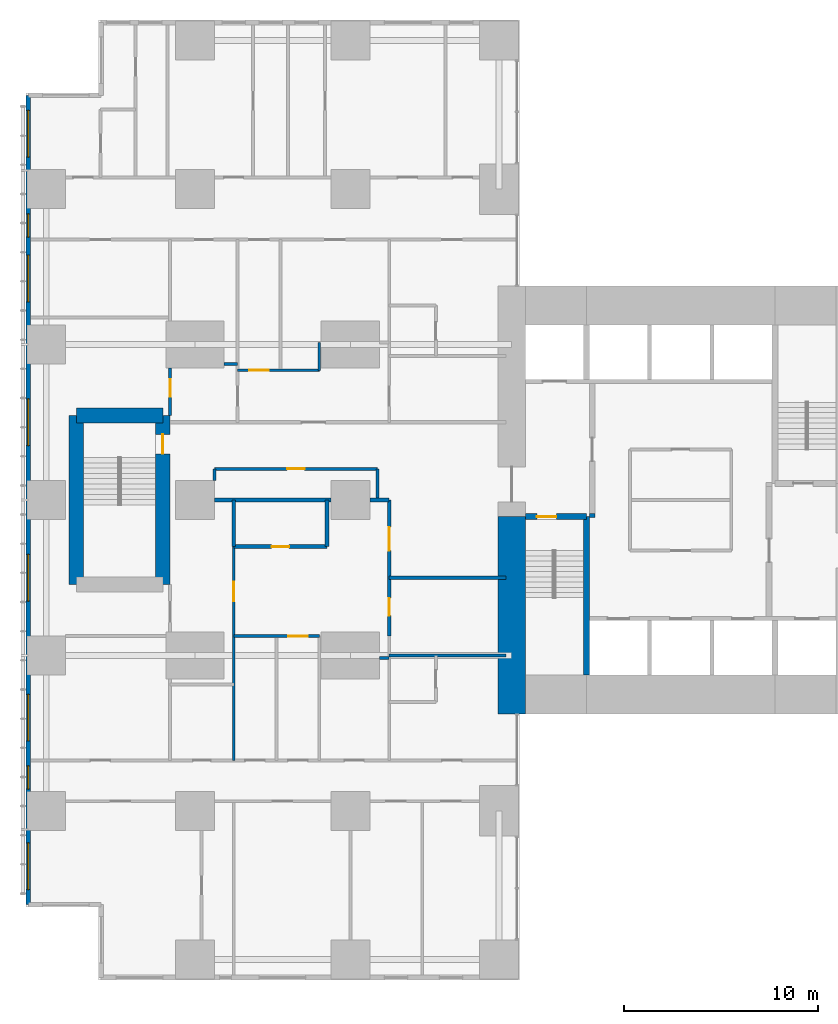
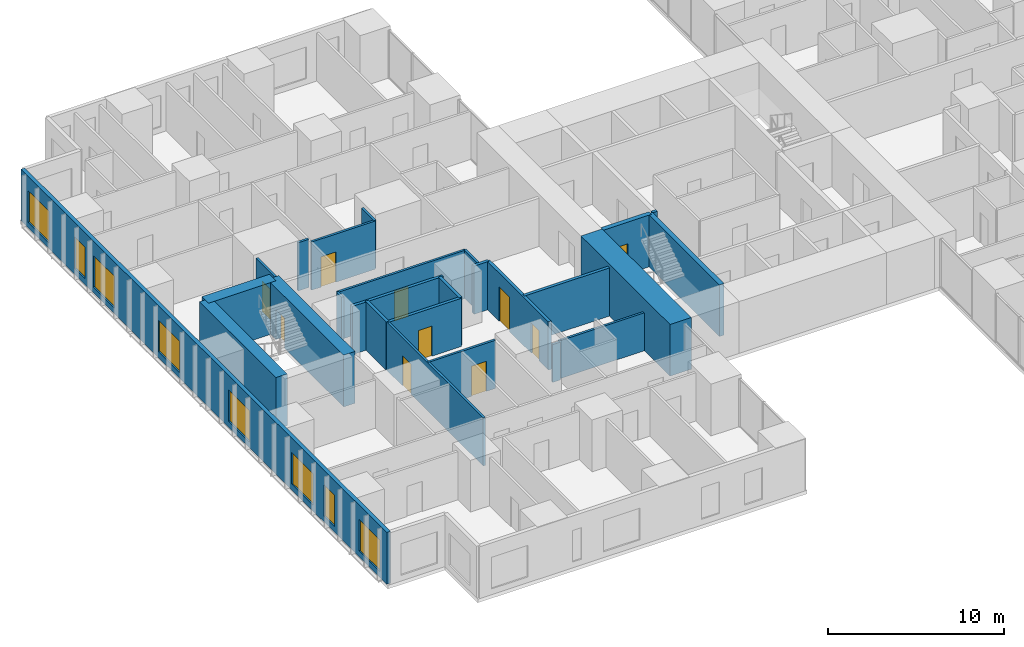
# One storey, part 13 of 20: 26 walls, 10 doors, 8 windows, 18 openings.
"""IFC4 building model written with IfcOpenShell, lengths in metres."""

from ifc_helpers import new_model, si_unit, direction, frame, frame_2d, origin, place, context, subcontext, project, spatial, rectangle, extrude, material, layer, layer_set, type_object, element, fill, save


model = new_model("IFC4")

# Units and contexts
model_context = context("Model", 3, precision=1e-05, world=origin(), true_north=direction((0.0, 1.0)))
body_context = subcontext(model_context, "Body", "Model", "MODEL_VIEW")
ifc_project = project(units=[si_unit("LENGTHUNIT", "METRE"), si_unit("AREAUNIT", "SQUARE_METRE"), si_unit("VOLUMEUNIT", "CUBIC_METRE"), si_unit("PLANEANGLEUNIT", "RADIAN"), si_unit("MASSUNIT", "GRAM", prefix="KILO")], contexts=[model_context])

# Site, building, storey
site_placement = place(None, origin())
site = spatial("IfcSite", under=ifc_project, at=site_placement, CompositionType="ELEMENT")
building_placement = place(site_placement, origin())
building = spatial("IfcBuilding", under=site, at=building_placement, Name="Cleftline Residences", CompositionType="ELEMENT")
storey_placement = place(building_placement, frame((0.0, 0.0, 117.800048828125)))
storey = spatial("IfcBuildingStorey", under=building, at=storey_placement, Name="L30", CompositionType="ELEMENT", Elevation=117.800048828125)

# Walls
ifc_material_1 = material(Name="Concrete B70", Category="concrete")
ifc_layer_1 = layer(ifc_material_1, 1.39990234375)
ifc_layer_set_1 = layer_set([ifc_layer_1], Name="CORE WALL 1400")
wall_type_1 = type_object("IfcWallType", Name="CORE WALL 1400", PredefinedType="SHEAR", material=ifc_layer_set_1)
wall_1_placement = place(storey_placement, frame((24.300048828125, 13.0, 0.0), z_axis=(0.0, 0.0, 1.0), x_axis=(0.0, 1.0, 0.0)))
element("IfcWall", 1, at=wall_1_placement, inside=storey, type_object=wall_type_1, Name="Core wall W0", PredefinedType="SHEAR", context=body_context, shape_type="SweptSolid", body=[
    extrude(rectangle(XDim=10.14990234375, YDim=1.39990234375, at=frame_2d((5.074951171875, 0.0))), origin(), (0.0, 0.0, 1.0), 3.599853515625),
])
ifc_material_2 = material(Name="Concrete B70", Category="concrete")
ifc_layer_2 = layer(ifc_material_2, 0.300048828125)
ifc_layer_set_2 = layer_set([ifc_layer_2], Name="CORE WALL 300")
wall_type_2 = type_object("IfcWallType", Name="CORE WALL 300", PredefinedType="SHEAR", material=ifc_layer_set_2)
wall_2_placement = place(storey_placement, frame((28.14990234375, 15.0, 0.0), z_axis=(0.0, 0.0, 1.0), x_axis=(0.0, 1.0, 0.0)))
element("IfcWall", 2, at=wall_2_placement, inside=storey, type_object=wall_type_2, Name="Core wall SA-E", PredefinedType="SHEAR", context=body_context, shape_type="SweptSolid", body=[
    extrude(rectangle(XDim=8.14990234375, YDim=0.300048828125, at=frame_2d((4.074951171875, 0.0))), origin(), (0.0, 0.0, 1.0), 3.599853515625),
])

# Wall, opening, door
wall_3_placement = place(storey_placement, frame((25.0, 23.14990234375, 0.0), z_axis=(0.0, 0.0, 1.0), x_axis=(1.0, 0.0, 0.0)))
wall_3 = element("IfcWall", 3, at=wall_3_placement, inside=storey, type_object=wall_type_2, Name="Core wall SA-N", PredefinedType="SHEAR", context=body_context, shape_type="SweptSolid", body=[
    extrude(rectangle(XDim=3.14990234375, YDim=0.300048828125, at=frame_2d((1.574951171875, 0.0))), origin(), (0.0, 0.0, 1.0), 3.599853515625),
])
opening_1_placement = place(wall_3_placement, frame((0.60009765625, 0.0, 0.0)))
opening_1 = element("IfcOpeningElement", 4, at=opening_1_placement, cuts=wall_3, Name="Opening D5", PredefinedType="OPENING", context=body_context, shape_type="SweptSolid", body=[
    extrude(rectangle(XDim=1.0, YDim=2.10009765625, at=frame_2d((0.5, 1.050048828125))), frame((0.0, 0.159912109375, 0.0), z_axis=(0.0, -1.0, 0.0), x_axis=(1.0, 0.0, 0.0)), (0.0, 0.0, 1.0), 0.320068359375),
])
ifc_material_3 = material(Name="Steel", Category="steel")
door_type_1 = type_object("IfcDoorType", Name="STAIR DOOR 1000X2100", OperationType="SINGLE_SWING_LEFT", PredefinedType="DOOR", material=ifc_material_3)
door_1_placement = place(opening_1_placement, origin())
door_1 = element("IfcDoor", 5, at=door_1_placement, inside=storey, type_object=door_type_1, Name="Stair A door", OperationType="SINGLE_SWING_RIGHT", OverallHeight=2.10009765625, OverallWidth=1.0, PredefinedType="DOOR", context=body_context, shape_type="SweptSolid", body=[
    extrude(rectangle(XDim=1.0, YDim=2.10009765625, at=frame_2d((0.5, 1.050048828125))), frame((0.0, 0.02490234375, 0.0), z_axis=(0.0, -1.0, 0.0), x_axis=(1.0, 0.0, 0.0)), (0.0, 0.0, 1.0), 0.050048828125),
])
fill(opening_1, door_1)

# Wall, openings, windows
ifc_material_4 = material(Name="Rendered reinforced concrete blockwork", Category="masonry")
ifc_layer_3 = layer(ifc_material_4, 0.25)
ifc_layer_set_3 = layer_set([ifc_layer_3], Name="EXTERNAL WALL 250")
wall_type_3 = type_object("IfcWallType", Name="EXTERNAL WALL 250", PredefinedType="SOLIDWALL", material=ifc_layer_set_3)
wall_4_placement = place(storey_placement, frame((-0.574951171875, 44.824951171875, 0.0), z_axis=(0.0, 0.0, 1.0), x_axis=(0.0, -1.0, 0.0)))
wall_4 = element("IfcWall", 6, at=wall_4_placement, inside=storey, type_object=wall_type_3, Name="External wall", PredefinedType="SOLIDWALL", context=body_context, shape_type="SweptSolid", body=[
    extrude(rectangle(XDim=41.64990234375, YDim=0.25, at=frame_2d((20.824951171875, 0.0))), origin(), (0.0, 0.0, 1.0), 3.599853515625),
])
opening_2_placement = place(wall_4_placement, frame((0.77490234375, 0.0, 0.39990234375)))
opening_2 = element("IfcOpeningElement", 7, at=opening_2_placement, cuts=wall_4, Name="Opening W12", PredefinedType="OPENING", context=body_context, shape_type="SweptSolid", body=[
    extrude(rectangle(XDim=2.39990234375, YDim=2.199951171875, at=frame_2d((1.199951171875, 1.10009765625))), frame((0.0, 0.135009765625, 0.0), z_axis=(0.0, -1.0, 0.0), x_axis=(1.0, 0.0, 0.0)), (0.0, 0.0, 1.0), 0.27001953125),
])
opening_3_placement = place(wall_4_placement, frame((6.10009765625, 0.0, 0.39990234375)))
opening_3 = element("IfcOpeningElement", 8, at=opening_3_placement, cuts=wall_4, Name="Opening W11", PredefinedType="OPENING", context=body_context, shape_type="SweptSolid", body=[
    extrude(rectangle(XDim=1.199951171875, YDim=2.199951171875, at=frame_2d((0.60009765625, 1.10009765625))), frame((0.0, 0.135009765625, 0.0), z_axis=(0.0, -1.0, 0.0), x_axis=(1.0, 0.0, 0.0)), (0.0, 0.0, 1.0), 0.27001953125),
])
opening_4_placement = place(wall_4_placement, frame((8.22509765625, 0.0, 0.39990234375)))
opening_4 = element("IfcOpeningElement", 9, at=opening_4_placement, cuts=wall_4, Name="Opening W12", PredefinedType="OPENING", context=body_context, shape_type="SweptSolid", body=[
    extrude(rectangle(XDim=2.39990234375, YDim=2.199951171875, at=frame_2d((1.199951171875, 1.10009765625))), frame((0.0, 0.135009765625, 0.0), z_axis=(0.0, -1.0, 0.0), x_axis=(1.0, 0.0, 0.0)), (0.0, 0.0, 1.0), 0.27001953125),
])
opening_5_placement = place(wall_4_placement, frame((15.625, 0.0, 0.39990234375)))
opening_5 = element("IfcOpeningElement", 10, at=opening_5_placement, cuts=wall_4, Name="Opening W12", PredefinedType="OPENING", context=body_context, shape_type="SweptSolid", body=[
    extrude(rectangle(XDim=2.39990234375, YDim=2.199951171875, at=frame_2d((1.199951171875, 1.10009765625))), frame((0.0, 0.135009765625, 0.0), z_axis=(0.0, -1.0, 0.0), x_axis=(1.0, 0.0, 0.0)), (0.0, 0.0, 1.0), 0.27001953125),
])
opening_6_placement = place(wall_4_placement, frame((23.625, 0.0, 0.39990234375)))
opening_6 = element("IfcOpeningElement", 11, at=opening_6_placement, cuts=wall_4, Name="Opening W12", PredefinedType="OPENING", context=body_context, shape_type="SweptSolid", body=[
    extrude(rectangle(XDim=2.39990234375, YDim=2.199951171875, at=frame_2d((1.199951171875, 1.10009765625))), frame((0.0, 0.135009765625, 0.0), z_axis=(0.0, -1.0, 0.0), x_axis=(1.0, 0.0, 0.0)), (0.0, 0.0, 1.0), 0.27001953125),
])
opening_7_placement = place(wall_4_placement, frame((30.824951171875, 0.0, 0.39990234375)))
opening_7 = element("IfcOpeningElement", 12, at=opening_7_placement, cuts=wall_4, Name="Opening W12", PredefinedType="OPENING", context=body_context, shape_type="SweptSolid", body=[
    extrude(rectangle(XDim=2.39990234375, YDim=2.199951171875, at=frame_2d((1.199951171875, 1.10009765625))), frame((0.0, 0.135009765625, 0.0), z_axis=(0.0, -1.0, 0.0), x_axis=(1.0, 0.0, 0.0)), (0.0, 0.0, 1.0), 0.27001953125),
])
opening_8_placement = place(wall_4_placement, frame((34.5, 0.0, 0.39990234375)))
opening_8 = element("IfcOpeningElement", 13, at=opening_8_placement, cuts=wall_4, Name="Opening W11", PredefinedType="OPENING", context=body_context, shape_type="SweptSolid", body=[
    extrude(rectangle(XDim=1.199951171875, YDim=2.199951171875, at=frame_2d((0.60009765625, 1.10009765625))), frame((0.0, 0.135009765625, 0.0), z_axis=(0.0, -1.0, 0.0), x_axis=(1.0, 0.0, 0.0)), (0.0, 0.0, 1.0), 0.27001953125),
])
opening_9_placement = place(wall_4_placement, frame((38.47509765625, 0.0, 0.39990234375)))
opening_9 = element("IfcOpeningElement", 14, at=opening_9_placement, cuts=wall_4, Name="Opening W12", PredefinedType="OPENING", context=body_context, shape_type="SweptSolid", body=[
    extrude(rectangle(XDim=2.39990234375, YDim=2.199951171875, at=frame_2d((1.199951171875, 1.10009765625))), frame((0.0, 0.135009765625, 0.0), z_axis=(0.0, -1.0, 0.0), x_axis=(1.0, 0.0, 0.0)), (0.0, 0.0, 1.0), 0.27001953125),
])
ifc_material_5 = material(Name="Aluminium frame, clear double glazing", Category="aluminium")
window_type_1 = type_object("IfcWindowType", Name="WINDOW 1200X2200", PartitioningType="DOUBLE_PANEL_VERTICAL", PredefinedType="WINDOW", material=ifc_material_5)
window_1_placement = place(opening_3_placement, origin())
window_1 = element("IfcWindow", 15, at=window_1_placement, inside=storey, type_object=window_type_1, Name="Window", OverallHeight=2.199951171875, OverallWidth=1.199951171875, PartitioningType="SINGLE_PANEL", PredefinedType="WINDOW", context=body_context, shape_type="SweptSolid", body=[
    extrude(rectangle(XDim=1.199951171875, YDim=2.199951171875, at=frame_2d((0.60009765625, 1.10009765625))), frame((0.0, 0.030029296875, 0.0), z_axis=(0.0, -1.0, 0.0), x_axis=(1.0, 0.0, 0.0)), (0.0, 0.0, 1.0), 0.06005859375),
])
fill(opening_3, window_1)
window_2_placement = place(opening_8_placement, origin())
window_2 = element("IfcWindow", 16, at=window_2_placement, inside=storey, type_object=window_type_1, Name="Window", OverallHeight=2.199951171875, OverallWidth=1.199951171875, PartitioningType="SINGLE_PANEL", PredefinedType="WINDOW", context=body_context, shape_type="SweptSolid", body=[
    extrude(rectangle(XDim=1.199951171875, YDim=2.199951171875, at=frame_2d((0.60009765625, 1.10009765625))), frame((0.0, 0.030029296875, 0.0), z_axis=(0.0, -1.0, 0.0), x_axis=(1.0, 0.0, 0.0)), (0.0, 0.0, 1.0), 0.06005859375),
])
fill(opening_8, window_2)
ifc_material_6 = material(Name="Aluminium frame, clear double glazing", Category="aluminium")
window_type_2 = type_object("IfcWindowType", Name="WINDOW 2400X2200", PartitioningType="DOUBLE_PANEL_VERTICAL", PredefinedType="WINDOW", material=ifc_material_6)
window_3_placement = place(opening_2_placement, origin())
window_3 = element("IfcWindow", 17, at=window_3_placement, inside=storey, type_object=window_type_2, Name="Window", OverallHeight=2.199951171875, OverallWidth=2.39990234375, PartitioningType="SINGLE_PANEL", PredefinedType="WINDOW", context=body_context, shape_type="SweptSolid", body=[
    extrude(rectangle(XDim=2.39990234375, YDim=2.199951171875, at=frame_2d((1.199951171875, 1.10009765625))), frame((0.0, 0.030029296875, 0.0), z_axis=(0.0, -1.0, 0.0), x_axis=(1.0, 0.0, 0.0)), (0.0, 0.0, 1.0), 0.06005859375),
])
fill(opening_2, window_3)
window_4_placement = place(opening_4_placement, origin())
window_4 = element("IfcWindow", 18, at=window_4_placement, inside=storey, type_object=window_type_2, Name="Window", OverallHeight=2.199951171875, OverallWidth=2.39990234375, PartitioningType="SINGLE_PANEL", PredefinedType="WINDOW", context=body_context, shape_type="SweptSolid", body=[
    extrude(rectangle(XDim=2.39990234375, YDim=2.199951171875, at=frame_2d((1.199951171875, 1.10009765625))), frame((0.0, 0.030029296875, 0.0), z_axis=(0.0, -1.0, 0.0), x_axis=(1.0, 0.0, 0.0)), (0.0, 0.0, 1.0), 0.06005859375),
])
fill(opening_4, window_4)
window_5_placement = place(opening_5_placement, origin())
window_5 = element("IfcWindow", 19, at=window_5_placement, inside=storey, type_object=window_type_2, Name="Window", OverallHeight=2.199951171875, OverallWidth=2.39990234375, PartitioningType="SINGLE_PANEL", PredefinedType="WINDOW", context=body_context, shape_type="SweptSolid", body=[
    extrude(rectangle(XDim=2.39990234375, YDim=2.199951171875, at=frame_2d((1.199951171875, 1.10009765625))), frame((0.0, 0.030029296875, 0.0), z_axis=(0.0, -1.0, 0.0), x_axis=(1.0, 0.0, 0.0)), (0.0, 0.0, 1.0), 0.06005859375),
])
fill(opening_5, window_5)
window_6_placement = place(opening_6_placement, origin())
window_6 = element("IfcWindow", 20, at=window_6_placement, inside=storey, type_object=window_type_2, Name="Window", OverallHeight=2.199951171875, OverallWidth=2.39990234375, PartitioningType="SINGLE_PANEL", PredefinedType="WINDOW", context=body_context, shape_type="SweptSolid", body=[
    extrude(rectangle(XDim=2.39990234375, YDim=2.199951171875, at=frame_2d((1.199951171875, 1.10009765625))), frame((0.0, 0.030029296875, 0.0), z_axis=(0.0, -1.0, 0.0), x_axis=(1.0, 0.0, 0.0)), (0.0, 0.0, 1.0), 0.06005859375),
])
fill(opening_6, window_6)
window_7_placement = place(opening_7_placement, origin())
window_7 = element("IfcWindow", 21, at=window_7_placement, inside=storey, type_object=window_type_2, Name="Window", OverallHeight=2.199951171875, OverallWidth=2.39990234375, PartitioningType="SINGLE_PANEL", PredefinedType="WINDOW", context=body_context, shape_type="SweptSolid", body=[
    extrude(rectangle(XDim=2.39990234375, YDim=2.199951171875, at=frame_2d((1.199951171875, 1.10009765625))), frame((0.0, 0.030029296875, 0.0), z_axis=(0.0, -1.0, 0.0), x_axis=(1.0, 0.0, 0.0)), (0.0, 0.0, 1.0), 0.06005859375),
])
fill(opening_7, window_7)
window_8_placement = place(opening_9_placement, origin())
window_8 = element("IfcWindow", 22, at=window_8_placement, inside=storey, type_object=window_type_2, Name="Window", OverallHeight=2.199951171875, OverallWidth=2.39990234375, PartitioningType="SINGLE_PANEL", PredefinedType="WINDOW", context=body_context, shape_type="SweptSolid", body=[
    extrude(rectangle(XDim=2.39990234375, YDim=2.199951171875, at=frame_2d((1.199951171875, 1.10009765625))), frame((0.0, 0.030029296875, 0.0), z_axis=(0.0, -1.0, 0.0), x_axis=(1.0, 0.0, 0.0)), (0.0, 0.0, 1.0), 0.06005859375),
])
fill(opening_9, window_8)

# Wall
ifc_material_7 = material(Name="Concrete blockwork, fire rated", Category="masonry")
ifc_layer_4 = layer(ifc_material_7, 0.199951171875)
ifc_layer_set_4 = layer_set([ifc_layer_4], Name="FIRE WALL 200")
wall_type_4 = type_object("IfcWallType", Name="FIRE WALL 200", PredefinedType="PARTITIONING", material=ifc_layer_set_4)
wall_5_placement = place(storey_placement, frame((18.0, 20.0, 0.0), z_axis=(0.0, 0.0, 1.0), x_axis=(1.0, 0.0, 0.0)))
element("IfcWall", 23, at=wall_5_placement, inside=storey, type_object=wall_type_4, Name="Fire separating wall", PredefinedType="PARTITIONING", context=body_context, shape_type="SweptSolid", body=[
    extrude(rectangle(XDim=6.0, YDim=0.199951171875, at=frame_2d((3.0, 0.0))), origin(), (0.0, 0.0, 1.0), 3.349853515625),
])

# Wall, opening, door
wall_6_placement = place(storey_placement, frame((10.0, 21.60009765625, 0.0), z_axis=(0.0, 0.0, 1.0), x_axis=(1.0, 0.0, 0.0)))
wall_6 = element("IfcWall", 24, at=wall_6_placement, inside=storey, type_object=wall_type_4, Name="Fire separating wall", PredefinedType="PARTITIONING", context=body_context, shape_type="SweptSolid", body=[
    extrude(rectangle(XDim=4.800048828125, YDim=0.199951171875, at=frame_2d((2.39990234375, 0.0))), origin(), (0.0, 0.0, 1.0), 3.349853515625),
])
opening_10_placement = place(wall_6_placement, frame((1.949951171875, 0.0, 0.0)))
opening_10 = element("IfcOpeningElement", 25, at=opening_10_placement, cuts=wall_6, Name="Opening D1F30", PredefinedType="OPENING", context=body_context, shape_type="SweptSolid", body=[
    extrude(rectangle(XDim=0.89990234375, YDim=2.10009765625, at=frame_2d((0.449951171875, 1.050048828125))), frame((0.0, 0.10986328125, 0.0), z_axis=(0.0, -1.0, 0.0), x_axis=(1.0, 0.0, 0.0)), (0.0, 0.0, 1.0), 0.219970703125),
])
ifc_material_8 = material(Name="Timber veneer on solid core", Category="wood")
door_type_2 = type_object("IfcDoorType", Name="DOOR 900X2100 EI 30", OperationType="SINGLE_SWING_LEFT", PredefinedType="DOOR", material=ifc_material_8)
door_2_placement = place(opening_10_placement, origin())
door_2 = element("IfcDoor", 26, at=door_2_placement, inside=storey, type_object=door_type_2, Name="Door to cloakroom wc", OperationType="SINGLE_SWING_LEFT", OverallHeight=2.10009765625, OverallWidth=0.89990234375, PredefinedType="DOOR", context=body_context, shape_type="SweptSolid", body=[
    extrude(rectangle(XDim=0.89990234375, YDim=2.10009765625, at=frame_2d((0.449951171875, 1.050048828125))), frame((0.0, 0.02490234375, 0.0), z_axis=(0.0, -1.0, 0.0), x_axis=(1.0, 0.0, 0.0)), (0.0, 0.0, 1.0), 0.050048828125),
])
fill(opening_10, door_2)

# Walls
wall_7_placement = place(storey_placement, frame((9.0, 24.0, 0.0), z_axis=(0.0, 0.0, 1.0), x_axis=(1.0, 0.0, 0.0)))
element("IfcWall", 27, at=wall_7_placement, inside=storey, type_object=wall_type_4, Name="Fire separating wall", PredefinedType="PARTITIONING", context=body_context, shape_type="SweptSolid", body=[
    extrude(rectangle(XDim=6.0, YDim=0.199951171875, at=frame_2d((3.0, 0.0))), origin(), (0.0, 0.0, 1.0), 3.349853515625),
])
wall_8_placement = place(storey_placement, frame((17.0, 24.0, 0.0), z_axis=(0.0, 0.0, 1.0), x_axis=(1.0, 0.0, 0.0)))
element("IfcWall", 28, at=wall_8_placement, inside=storey, type_object=wall_type_4, Name="Fire separating wall", PredefinedType="PARTITIONING", context=body_context, shape_type="SweptSolid", body=[
    extrude(rectangle(XDim=1.0, YDim=0.199951171875, at=frame_2d((0.5, 0.0))), origin(), (0.0, 0.0, 1.0), 3.349853515625),
])
for number, where, z_axis, x_axis, name in (
    (29, (10.0, 21.60009765625, 0.0), (0.0, 0.0, 1.0), (0.0, 1.0, 0.0), "Fire separating wall"),
    (30, (14.800048828125, 21.60009765625, 0.0), (0.0, 0.0, 1.0), (0.0, 1.0, 0.0), "Fire separating wall"),
):
    element("IfcWall", number, at=place(storey_placement, frame(where, z_axis=z_axis, x_axis=x_axis)), inside=storey, type_object=wall_type_4, Name=name, PredefinedType="PARTITIONING", context=body_context, shape_type="SweptSolid", body=[
        extrude(rectangle(XDim=2.39990234375, YDim=0.199951171875, at=frame_2d((1.199951171875, 0.0))), origin(), (0.0, 0.0, 1.0), 3.349853515625),
    ])

# Wall, openings, doors
wall_9_placement = place(storey_placement, frame((18.0, 17.0, 0.0), z_axis=(0.0, 0.0, 1.0), x_axis=(0.0, 1.0, 0.0)))
wall_9 = element("IfcWall", 31, at=wall_9_placement, inside=storey, type_object=wall_type_4, Name="Fire separating wall", PredefinedType="PARTITIONING", context=body_context, shape_type="SweptSolid", body=[
    extrude(rectangle(XDim=7.0, YDim=0.199951171875, at=frame_2d((3.5, 0.0))), origin(), (0.0, 0.0, 1.0), 3.349853515625),
])
opening_11_placement = place(wall_9_placement, frame((4.39990234375, 0.0, 0.0)))
opening_11 = element("IfcOpeningElement", 32, at=opening_11_placement, cuts=wall_9, Name="Opening D4", PredefinedType="OPENING", context=body_context, shape_type="SweptSolid", body=[
    extrude(rectangle(XDim=1.199951171875, YDim=2.39990234375, at=frame_2d((0.60009765625, 1.199951171875))), frame((0.0, 0.10986328125, 0.0), z_axis=(0.0, -1.0, 0.0), x_axis=(1.0, 0.0, 0.0)), (0.0, 0.0, 1.0), 0.219970703125),
])
opening_12_placement = place(wall_9_placement, frame((1.050048828125, 0.0, 0.0)))
opening_12 = element("IfcOpeningElement", 33, at=opening_12_placement, cuts=wall_9, Name="Opening D1F30", PredefinedType="OPENING", context=body_context, shape_type="SweptSolid", body=[
    extrude(rectangle(XDim=0.89990234375, YDim=2.10009765625, at=frame_2d((0.449951171875, 1.050048828125))), frame((0.0, 0.10986328125, 0.0), z_axis=(0.0, -1.0, 0.0), x_axis=(1.0, 0.0, 0.0)), (0.0, 0.0, 1.0), 0.219970703125),
])
ifc_material_9 = material(Name="Timber veneer on solid core", Category="wood")
door_type_3 = type_object("IfcDoorType", Name="APARTMENT ENTRANCE DOOR 1200X2400", OperationType="SINGLE_SWING_RIGHT", PredefinedType="DOOR", material=ifc_material_9)
door_3_placement = place(opening_11_placement, origin())
door_3 = element("IfcDoor", 34, at=door_3_placement, inside=storey, type_object=door_type_3, Name="Door to residence entrance foyer", OperationType="SINGLE_SWING_LEFT", OverallHeight=2.39990234375, OverallWidth=1.199951171875, PredefinedType="DOOR", context=body_context, shape_type="SweptSolid", body=[
    extrude(rectangle(XDim=1.199951171875, YDim=2.39990234375, at=frame_2d((0.60009765625, 1.199951171875))), frame((0.0, 0.02490234375, 0.0), z_axis=(0.0, -1.0, 0.0), x_axis=(1.0, 0.0, 0.0)), (0.0, 0.0, 1.0), 0.050048828125),
])
fill(opening_11, door_3)
door_4_placement = place(opening_12_placement, origin())
door_4 = element("IfcDoor", 35, at=door_4_placement, inside=storey, type_object=door_type_2, Name="Door to laundry", OperationType="SINGLE_SWING_RIGHT", OverallHeight=2.10009765625, OverallWidth=0.89990234375, PredefinedType="DOOR", context=body_context, shape_type="SweptSolid", body=[
    extrude(rectangle(XDim=0.89990234375, YDim=2.10009765625, at=frame_2d((0.449951171875, 1.050048828125))), frame((0.0, 0.02490234375, 0.0), z_axis=(0.0, -1.0, 0.0), x_axis=(1.0, 0.0, 0.0)), (0.0, 0.0, 1.0), 0.050048828125),
])
fill(opening_12, door_4)

# Walls
wall_10_placement = place(storey_placement, frame((28.300048828125, 23.199951171875, 0.0), z_axis=(0.0, 0.0, 1.0), x_axis=(1.0, 0.0, 0.0)))
element("IfcWall", 36, at=wall_10_placement, inside=storey, type_object=wall_type_4, Name="Fire separating wall", PredefinedType="PARTITIONING", context=body_context, shape_type="SweptSolid", body=[
    extrude(rectangle(XDim=0.300048828125, YDim=0.199951171875, at=frame_2d((0.14990234375, 0.0))), origin(), (0.0, 0.0, 1.0), 3.599853515625),
])
ifc_material_10 = material(Name="Gypsum board on steel studs", Category="steel")
ifc_layer_5 = layer(ifc_material_10, 0.14990234375)
ifc_layer_set_5 = layer_set([ifc_layer_5], Name="PARTITION 150")
wall_type_5 = type_object("IfcWallType", Name="PARTITION 150", PredefinedType="PARTITIONING", material=ifc_layer_set_5)
wall_11_placement = place(storey_placement, frame((17.5, 15.875, 0.0), z_axis=(0.0, 0.0, 1.0), x_axis=(1.0, 0.0, 0.0)))
element("IfcWall", 37, at=wall_11_placement, inside=storey, type_object=wall_type_5, Name="Partition", PredefinedType="PARTITIONING", context=body_context, shape_type="SweptSolid", body=[
    extrude(rectangle(XDim=0.5, YDim=0.14990234375, at=frame_2d((0.25, 0.0))), origin(), (0.0, 0.0, 1.0), 2.634033203125),
])
wall_12_placement = place(storey_placement, frame((18.0, 16.0, 0.0), z_axis=(0.0, 0.0, 1.0), x_axis=(1.0, 0.0, 0.0)))
element("IfcWall", 38, at=wall_12_placement, inside=storey, type_object=wall_type_5, Name="Partition", PredefinedType="PARTITIONING", context=body_context, shape_type="SweptSolid", body=[
    extrude(rectangle(XDim=6.0, YDim=0.14990234375, at=frame_2d((3.0, 0.0))), origin(), (0.0, 0.0, 1.0), 2.634033203125),
])

# Wall, opening, door
wall_13_placement = place(storey_placement, frame((10.0, 17.0, 0.0), z_axis=(0.0, 0.0, 1.0), x_axis=(1.0, 0.0, 0.0)))
wall_13 = element("IfcWall", 39, at=wall_13_placement, inside=storey, type_object=wall_type_5, Name="Partition", PredefinedType="PARTITIONING", context=body_context, shape_type="SweptSolid", body=[
    extrude(rectangle(XDim=4.39990234375, YDim=0.14990234375, at=frame_2d((2.199951171875, 0.0))), origin(), (0.0, 0.0, 1.0), 3.349853515625),
])
opening_13_placement = place(wall_13_placement, frame((2.800048828125, 0.0, 0.0)))
opening_13 = element("IfcOpeningElement", 40, at=opening_13_placement, cuts=wall_13, Name="Opening D2", PredefinedType="OPENING", context=body_context, shape_type="SweptSolid", body=[
    extrude(rectangle(XDim=1.0, YDim=2.10009765625, at=frame_2d((0.5, 1.050048828125))), frame((0.0, 0.0849609375, 0.0), z_axis=(0.0, -1.0, 0.0), x_axis=(1.0, 0.0, 0.0)), (0.0, 0.0, 1.0), 0.169921875),
])
ifc_material_11 = material(Name="Timber veneer on solid core", Category="wood")
door_type_4 = type_object("IfcDoorType", Name="DOOR 1000X2100", OperationType="SINGLE_SWING_LEFT", PredefinedType="DOOR", material=ifc_material_11)
door_5_placement = place(opening_13_placement, origin())
door_5 = element("IfcDoor", 41, at=door_5_placement, inside=storey, type_object=door_type_4, Name="Door to residence passage", OperationType="SINGLE_SWING_LEFT", OverallHeight=2.10009765625, OverallWidth=1.0, PredefinedType="DOOR", context=body_context, shape_type="SweptSolid", body=[
    extrude(rectangle(XDim=1.0, YDim=2.10009765625, at=frame_2d((0.5, 1.050048828125))), frame((0.0, 0.02490234375, 0.0), z_axis=(0.0, -1.0, 0.0), x_axis=(1.0, 0.0, 0.0)), (0.0, 0.0, 1.0), 0.050048828125),
])
fill(opening_13, door_5)

wall_14_placement = place(storey_placement, frame((9.0, 25.60009765625, 0.0), z_axis=(0.0, 0.0, 1.0), x_axis=(1.0, 0.0, 0.0)))
wall_14 = element("IfcWall", 42, at=wall_14_placement, inside=storey, type_object=wall_type_5, Name="Partition", PredefinedType="PARTITIONING", context=body_context, shape_type="SweptSolid", body=[
    extrude(rectangle(XDim=8.39990234375, YDim=0.14990234375, at=frame_2d((4.199951171875, 0.0))), origin(), (0.0, 0.0, 1.0), 3.349853515625),
])
opening_14_placement = place(wall_14_placement, frame((3.75, 0.0, 0.0)))
opening_14 = element("IfcOpeningElement", 43, at=opening_14_placement, cuts=wall_14, Name="Opening D1", PredefinedType="OPENING", context=body_context, shape_type="SweptSolid", body=[
    extrude(rectangle(XDim=0.89990234375, YDim=2.10009765625, at=frame_2d((0.449951171875, 1.050048828125))), frame((0.0, 0.0849609375, 0.0), z_axis=(0.0, -1.0, 0.0), x_axis=(1.0, 0.0, 0.0)), (0.0, 0.0, 1.0), 0.169921875),
])
ifc_material_12 = material(Name="Timber veneer on solid core", Category="wood")
door_type_5 = type_object("IfcDoorType", Name="DOOR 900X2100", OperationType="SINGLE_SWING_LEFT", PredefinedType="DOOR", material=ifc_material_12)
door_6_placement = place(opening_14_placement, origin())
door_6 = element("IfcDoor", 44, at=door_6_placement, inside=storey, type_object=door_type_5, Name="Door to residents' locker room", OperationType="SINGLE_SWING_LEFT", OverallHeight=2.10009765625, OverallWidth=0.89990234375, PredefinedType="DOOR", context=body_context, shape_type="SweptSolid", body=[
    extrude(rectangle(XDim=0.89990234375, YDim=2.10009765625, at=frame_2d((0.449951171875, 1.050048828125))), frame((0.0, 0.02490234375, 0.0), z_axis=(0.0, -1.0, 0.0), x_axis=(1.0, 0.0, 0.0)), (0.0, 0.0, 1.0), 0.050048828125),
])
fill(opening_14, door_6)

wall_15_placement = place(storey_placement, frame((10.199951171875, 30.675048828125, 0.0), z_axis=(0.0, 0.0, 1.0), x_axis=(1.0, 0.0, 0.0)))
wall_15 = element("IfcWall", 45, at=wall_15_placement, inside=storey, type_object=wall_type_5, Name="Partition", PredefinedType="PARTITIONING", context=body_context, shape_type="SweptSolid", body=[
    extrude(rectangle(XDim=4.199951171875, YDim=0.14990234375, at=frame_2d((2.10009765625, 0.0))), origin(), (0.0, 0.0, 1.0), 3.349853515625),
])
opening_15_placement = place(wall_15_placement, frame((0.60009765625, 0.0, 0.0)))
opening_15 = element("IfcOpeningElement", 46, at=opening_15_placement, cuts=wall_15, Name="Opening D2", PredefinedType="OPENING", context=body_context, shape_type="SweptSolid", body=[
    extrude(rectangle(XDim=1.0, YDim=2.10009765625, at=frame_2d((0.5, 1.050048828125))), frame((0.0, 0.0849609375, 0.0), z_axis=(0.0, -1.0, 0.0), x_axis=(1.0, 0.0, 0.0)), (0.0, 0.0, 1.0), 0.169921875),
])
door_7_placement = place(opening_15_placement, origin())
door_7 = element("IfcDoor", 47, at=door_7_placement, inside=storey, type_object=door_type_4, Name="Door to residence passage", OperationType="SINGLE_SWING_RIGHT", OverallHeight=2.10009765625, OverallWidth=1.0, PredefinedType="DOOR", context=body_context, shape_type="SweptSolid", body=[
    extrude(rectangle(XDim=1.0, YDim=2.10009765625, at=frame_2d((0.5, 1.050048828125))), frame((0.0, 0.02490234375, 0.0), z_axis=(0.0, -1.0, 0.0), x_axis=(1.0, 0.0, 0.0)), (0.0, 0.0, 1.0), 0.050048828125),
])
fill(opening_15, door_7)

# Wall
wall_16_placement = place(storey_placement, frame((9.5, 31.0, 0.0), z_axis=(0.0, 0.0, 1.0), x_axis=(1.0, 0.0, 0.0)))
element("IfcWall", 48, at=wall_16_placement, inside=storey, type_object=wall_type_5, Name="Partition", PredefinedType="PARTITIONING", context=body_context, shape_type="SweptSolid", body=[
    extrude(rectangle(XDim=0.699951171875, YDim=0.14990234375, at=frame_2d((0.35009765625, 0.0))), origin(), (0.0, 0.0, 1.0), 3.349853515625),
])

# Wall, opening, door
wall_17_placement = place(storey_placement, frame((6.72509765625, 28.35009765625, 0.0), z_axis=(0.0, 0.0, 1.0), x_axis=(0.0, 1.0, 0.0)))
wall_17 = element("IfcWall", 49, at=wall_17_placement, inside=storey, type_object=wall_type_5, Name="Partition", PredefinedType="PARTITIONING", context=body_context, shape_type="SweptSolid", body=[
    extrude(rectangle(XDim=2.449951171875, YDim=0.14990234375, at=frame_2d((1.22509765625, 0.0))), origin(), (0.0, 0.0, 1.0), 3.349853515625),
])
opening_16_placement = place(wall_17_placement, frame((0.96240234375, 0.0, 0.0)))
opening_16 = element("IfcOpeningElement", 50, at=opening_16_placement, cuts=wall_17, Name="Opening D1", PredefinedType="OPENING", context=body_context, shape_type="SweptSolid", body=[
    extrude(rectangle(XDim=0.89990234375, YDim=2.10009765625, at=frame_2d((0.449951171875, 1.050048828125))), frame((0.0, 0.0849609375, 0.0), z_axis=(0.0, -1.0, 0.0), x_axis=(1.0, 0.0, 0.0)), (0.0, 0.0, 1.0), 0.169921875),
])
door_8_placement = place(opening_16_placement, origin())
door_8 = element("IfcDoor", 51, at=door_8_placement, inside=storey, type_object=door_type_5, Name="Door to drying loggia", OperationType="SINGLE_SWING_LEFT", OverallHeight=2.10009765625, OverallWidth=0.89990234375, PredefinedType="DOOR", context=body_context, shape_type="SweptSolid", body=[
    extrude(rectangle(XDim=0.89990234375, YDim=2.10009765625, at=frame_2d((0.449951171875, 1.050048828125))), frame((0.0, 0.02490234375, 0.0), z_axis=(0.0, -1.0, 0.0), x_axis=(1.0, 0.0, 0.0)), (0.0, 0.0, 1.0), 0.050048828125),
])
fill(opening_16, door_8)

# Wall
wall_18_placement = place(storey_placement, frame((9.0, 25.0, 0.0), z_axis=(0.0, 0.0, 1.0), x_axis=(0.0, 1.0, 0.0)))
element("IfcWall", 52, at=wall_18_placement, inside=storey, type_object=wall_type_5, Name="Partition", PredefinedType="PARTITIONING", context=body_context, shape_type="SweptSolid", body=[
    extrude(rectangle(XDim=0.60009765625, YDim=0.14990234375, at=frame_2d((0.300048828125, 0.0))), origin(), (0.0, 0.0, 1.0), 3.349853515625),
])

# Wall, opening, door
wall_19_placement = place(storey_placement, frame((10.0, 10.60009765625, 0.0), z_axis=(0.0, 0.0, 1.0), x_axis=(0.0, 1.0, 0.0)))
wall_19 = element("IfcWall", 53, at=wall_19_placement, inside=storey, type_object=wall_type_5, Name="Partition", PredefinedType="PARTITIONING", context=body_context, shape_type="SweptSolid", body=[
    extrude(rectangle(XDim=11.0, YDim=0.14990234375, at=frame_2d((5.5, 0.0))), origin(), (0.0, 0.0, 1.0), 3.349853515625),
])
opening_17_placement = place(wall_19_placement, frame((8.199951171875, 0.0, 0.0)))
opening_17 = element("IfcOpeningElement", 54, at=opening_17_placement, cuts=wall_19, Name="Opening D2F30", PredefinedType="OPENING", context=body_context, shape_type="SweptSolid", body=[
    extrude(rectangle(XDim=1.0, YDim=2.10009765625, at=frame_2d((0.5, 1.050048828125))), frame((0.0, 0.0849609375, 0.0), z_axis=(0.0, -1.0, 0.0), x_axis=(1.0, 0.0, 0.0)), (0.0, 0.0, 1.0), 0.169921875),
])
ifc_material_13 = material(Name="Timber veneer on solid core", Category="wood")
door_type_6 = type_object("IfcDoorType", Name="DOOR 1000X2100 EI 30", OperationType="SINGLE_SWING_LEFT", PredefinedType="DOOR", material=ifc_material_13)
door_9_placement = place(opening_17_placement, origin())
door_9 = element("IfcDoor", 55, at=door_9_placement, inside=storey, type_object=door_type_6, Name="Door to residence lobby", OperationType="SINGLE_SWING_LEFT", OverallHeight=2.10009765625, OverallWidth=1.0, PredefinedType="DOOR", context=body_context, shape_type="SweptSolid", body=[
    extrude(rectangle(XDim=1.0, YDim=2.10009765625, at=frame_2d((0.5, 1.050048828125))), frame((0.0, 0.02490234375, 0.0), z_axis=(0.0, -1.0, 0.0), x_axis=(1.0, 0.0, 0.0)), (0.0, 0.0, 1.0), 0.050048828125),
])
fill(opening_17, door_9)

# Walls
wall_20_placement = place(storey_placement, frame((14.39990234375, 30.675048828125, 0.0), z_axis=(0.0, 0.0, 1.0), x_axis=(0.0, 1.0, 0.0)))
element("IfcWall", 56, at=wall_20_placement, inside=storey, type_object=wall_type_5, Name="Partition", PredefinedType="PARTITIONING", context=body_context, shape_type="SweptSolid", body=[
    extrude(rectangle(XDim=1.425048828125, YDim=0.14990234375, at=frame_2d((0.71240234375, 0.0))), origin(), (0.0, 0.0, 1.0), 3.349853515625),
])
wall_21_placement = place(storey_placement, frame((17.39990234375, 24.0, 0.0), z_axis=(0.0, 0.0, 1.0), x_axis=(0.0, 1.0, 0.0)))
element("IfcWall", 57, at=wall_21_placement, inside=storey, type_object=wall_type_5, Name="Partition", PredefinedType="PARTITIONING", context=body_context, shape_type="SweptSolid", body=[
    extrude(rectangle(XDim=1.60009765625, YDim=0.14990234375, at=frame_2d((0.800048828125, 0.0))), origin(), (0.0, 0.0, 1.0), 3.349853515625),
])

# Wall, opening, door
ifc_material_14 = material(Name="Concrete B70", Category="concrete")
ifc_layer_6 = layer(ifc_material_14, 0.75)
ifc_layer_set_6 = layer_set([ifc_layer_6], Name="SHEAR WALL 750")
wall_type_6 = type_object("IfcWallType", Name="SHEAR WALL 750", PredefinedType="SHEAR", material=ifc_layer_set_6)
wall_22_placement = place(storey_placement, frame((6.35009765625, 19.64990234375, 0.0), z_axis=(0.0, 0.0, 1.0), x_axis=(0.0, 1.0, 0.0)))
wall_22 = element("IfcWall", 58, at=wall_22_placement, inside=storey, type_object=wall_type_6, Name="Wing shear wall", PredefinedType="SHEAR", context=body_context, shape_type="SweptSolid", body=[
    extrude(rectangle(XDim=8.7001953125, YDim=0.75, at=frame_2d((4.35009765625, 0.0))), origin(), (0.0, 0.0, 1.0), 3.599853515625),
])
opening_18_placement = place(wall_22_placement, frame((6.72509765625, 0.0, 0.0)))
opening_18 = element("IfcOpeningElement", 59, at=opening_18_placement, cuts=wall_22, Name="Opening D5", PredefinedType="OPENING", context=body_context, shape_type="SweptSolid", body=[
    extrude(rectangle(XDim=1.0, YDim=2.10009765625, at=frame_2d((0.5, 1.050048828125))), frame((0.0, 0.385009765625, 0.0), z_axis=(0.0, -1.0, 0.0), x_axis=(1.0, 0.0, 0.0)), (0.0, 0.0, 1.0), 0.77001953125),
])
door_10_placement = place(opening_18_placement, origin())
door_10 = element("IfcDoor", 60, at=door_10_placement, inside=storey, type_object=door_type_1, Name="Stair W door", OperationType="SINGLE_SWING_LEFT", OverallHeight=2.10009765625, OverallWidth=1.0, PredefinedType="DOOR", context=body_context, shape_type="SweptSolid", body=[
    extrude(rectangle(XDim=1.0, YDim=2.10009765625, at=frame_2d((0.5, 1.050048828125))), frame((0.0, 0.02490234375, 0.0), z_axis=(0.0, -1.0, 0.0), x_axis=(1.0, 0.0, 0.0)), (0.0, 0.0, 1.0), 0.050048828125),
])
fill(opening_18, door_10)

# Walls
wall_23_placement = place(storey_placement, frame((6.35009765625, 28.35009765625, 0.0), z_axis=(0.0, 0.0, 1.0), x_axis=(-1.0, 0.0, 0.0)))
element("IfcWall", 61, at=wall_23_placement, inside=storey, type_object=wall_type_6, Name="Wing shear wall", PredefinedType="SHEAR", context=body_context, shape_type="SweptSolid", body=[
    extrude(rectangle(XDim=4.4501953125, YDim=0.75, at=frame_2d((2.22509765625, 0.0))), origin(), (0.0, 0.0, 1.0), 3.599853515625),
])
wall_24_placement = place(storey_placement, frame((1.89990234375, 28.35009765625, 0.0), z_axis=(0.0, 0.0, 1.0), x_axis=(0.0, -1.0, 0.0)))
element("IfcWall", 62, at=wall_24_placement, inside=storey, type_object=wall_type_6, Name="Wing shear wall", PredefinedType="SHEAR", context=body_context, shape_type="SweptSolid", body=[
    extrude(rectangle(XDim=8.7001953125, YDim=0.75, at=frame_2d((4.35009765625, 0.0))), origin(), (0.0, 0.0, 1.0), 3.599853515625),
])

save(model, "model.ifc")
